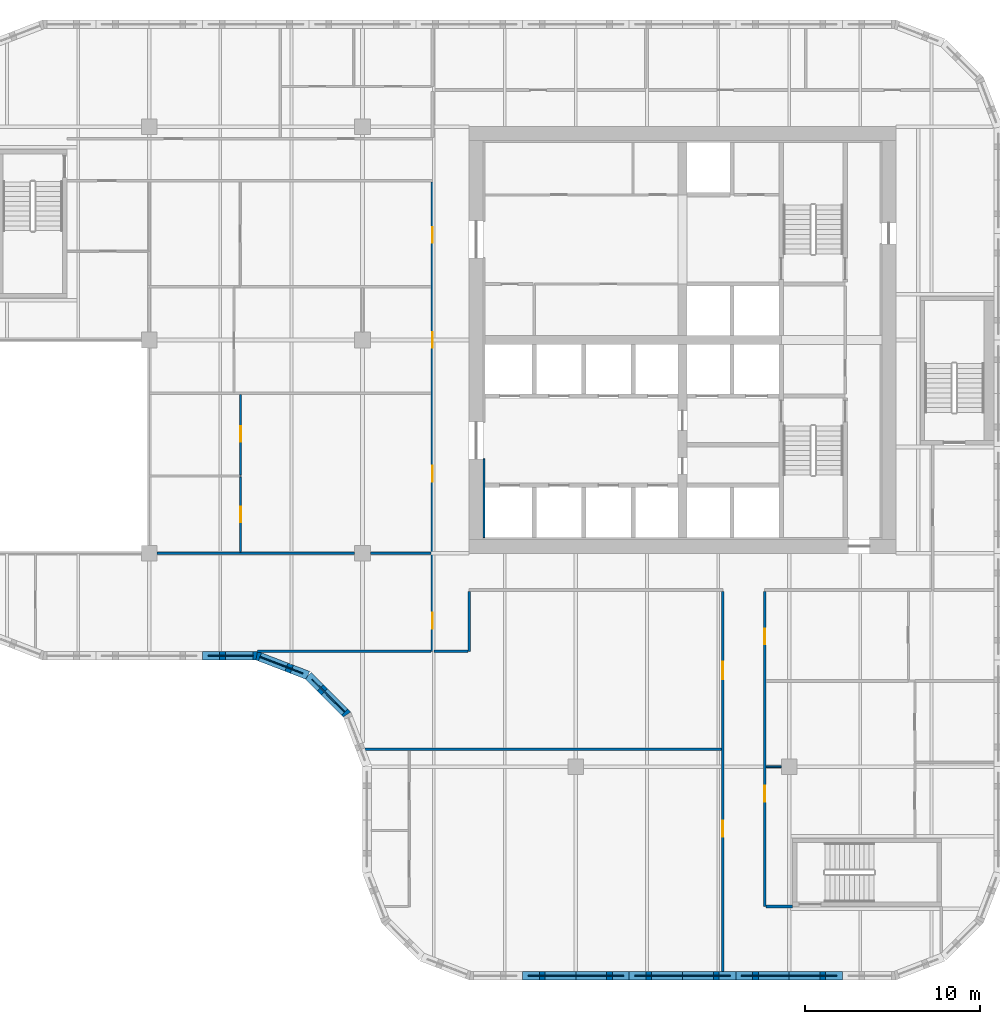
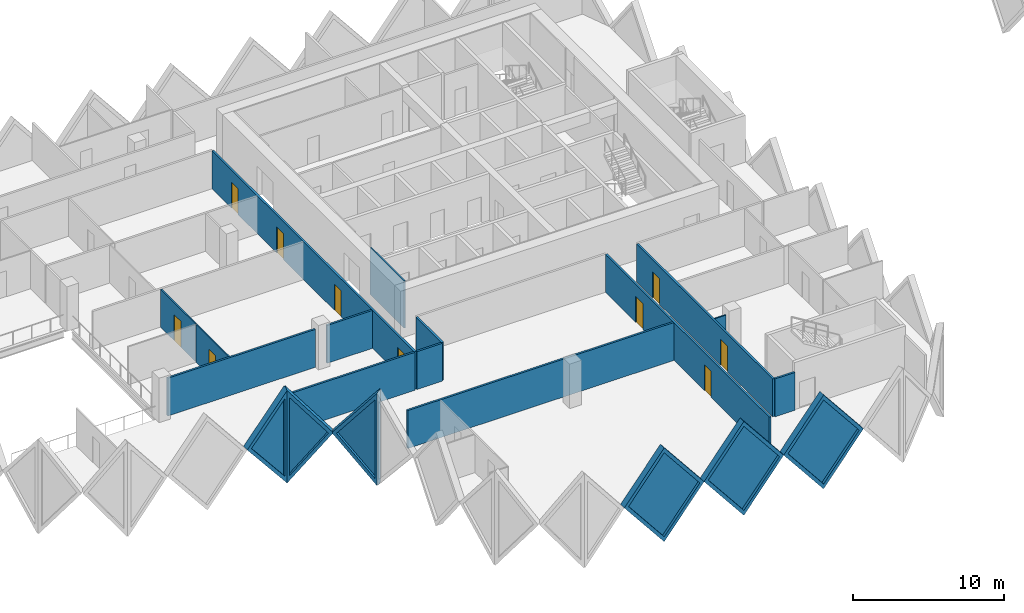
# One storey, part 5 of 19: 20 walls, 10 doors, 6 plates, 16 openings.
"""IFC4 building model written with IfcOpenShell, lengths in metres."""

import ifcopenshell
import ifcopenshell.guid

model = None  # the IFC model being written
_history = None  # IfcOwnerHistory: only IFC2X3 demands one
_inside = {}  # id of a spatial element -> (the spatial element, [elements in it])
_under = {}  # id of a project, library or spatial element -> (it, [spatial elements below it])
_declared = {}  # id of a project -> (the project, [libraries it declares])
_typed = {}  # id of a type object -> (the type object, [elements of that type])
_made_of = {}  # id of a material, layer set ... -> (it, [elements and type objects made of it])


def new_model(schema):
    """Start an empty IFC model of exactly this schema.

    Asked for "IFC4X3", IfcOpenShell would pick the latest addendum, in which some entities
    have other attributes; the version numbers below select the first issue.
    IFC2X3 requires an IfcOwnerHistory on every rooted entity: one is made here for all.
    """
    global model, _history
    if schema == "IFC4X3":
        model = ifcopenshell.file(schema_version=(4, 3, 0, 0))
    else:
        model = ifcopenshell.file(schema=schema)
    _inside.clear()
    _under.clear()
    _declared.clear()
    _typed.clear()
    _made_of.clear()
    _history = None
    if model.schema == "IFC2X3":
        org = make("IfcOrganization", Name="unknown")
        user = make(
            "IfcPersonAndOrganization",
            ThePerson=make("IfcPerson", FamilyName="unknown"),
            TheOrganization=org,
        )
        app = make(
            "IfcApplication",
            ApplicationDeveloper=org,
            Version="unknown",
            ApplicationFullName="unknown",
            ApplicationIdentifier="unknown",
        )
        _history = make(
            "IfcOwnerHistory",
            OwningUser=user,
            OwningApplication=app,
            ChangeAction="ADDED",
            CreationDate=0,
        )
    return model


def make(cls, **values):
    """One entity of the class cls with the attributes given. An attribute that is None is left unset."""
    return model.create_entity(
        cls, **{name: value for name, value in values.items() if value is not None}
    )


def rooted(cls, **values):
    """An entity with a GlobalId (a new one), such as an element, a storey or a relation."""
    return make(cls, GlobalId=ifcopenshell.guid.new(), OwnerHistory=_history, **values)


def si_unit(unit_type, name, prefix=None):
    """IfcSIUnit, for example si_unit("LENGTHUNIT", "METRE", prefix="MILLI")."""
    return make("IfcSIUnit", UnitType=unit_type, Prefix=prefix, Name=name)


def assignment(units):
    """IfcUnitAssignment: the units of a project."""
    return None if units is None else make("IfcUnitAssignment", Units=units)


def point(xyz):
    """IfcCartesianPoint."""
    return None if xyz is None else make("IfcCartesianPoint", Coordinates=xyz)


def direction(xyz):
    """IfcDirection."""
    return None if xyz is None else make("IfcDirection", DirectionRatios=xyz)


def frame(location, z_axis=None, x_axis=None):
    """IfcAxis2Placement3D, a coordinate frame: its origin and axes. An axis left out is left unset."""
    return make(
        "IfcAxis2Placement3D",
        Location=point(location),
        Axis=direction(z_axis),
        RefDirection=direction(x_axis),
    )


def frame_2d(location, x_axis=None):
    """IfcAxis2Placement2D, a coordinate frame in the plane: its origin and x axis."""
    return make(
        "IfcAxis2Placement2D", Location=point(location), RefDirection=direction(x_axis)
    )


def origin():
    """The frame at (0, 0, 0) with its axes left unset."""
    return frame((0.0, 0.0, 0.0))


def place(relative_to, where):
    """IfcLocalPlacement: puts the frame where relative to a parent placement (None: the world)."""
    return make(
        "IfcLocalPlacement", PlacementRelTo=relative_to, RelativePlacement=where
    )


def context(
    kind, dimensions, precision=None, world=None, true_north=None, identifier=None
):
    """IfcGeometricRepresentationContext, for example the 3D "Model" context."""
    return make(
        "IfcGeometricRepresentationContext",
        ContextIdentifier=identifier,
        ContextType=kind,
        CoordinateSpaceDimension=dimensions,
        Precision=precision,
        WorldCoordinateSystem=world,
        TrueNorth=true_north,
    )


def subcontext(parent, identifier, kind, view, scale=None):
    """IfcGeometricRepresentationSubContext, for example "Body" below "Model"."""
    return make(
        "IfcGeometricRepresentationSubContext",
        ContextIdentifier=identifier,
        ContextType=kind,
        ParentContext=parent,
        TargetScale=scale,
        TargetView=view,
    )


def project(units=None, contexts=None):
    """IfcProject with its units and contexts."""
    return rooted(
        "IfcProject",
        Name="project",
        RepresentationContexts=contexts,
        UnitsInContext=assignment(units),
    )


def spatial(cls, under=None, at=None, **own):
    """A site, building, storey or space (cls), placed at a placement, below another one or the project."""
    s = rooted(cls, ObjectPlacement=at, **own)
    if under is not None:
        _under.setdefault(under.id(), (under, []))[1].append(s)
    return s


def polyline(points):
    """IfcPolyline through the points."""
    return make("IfcPolyline", Points=[point(p) for p in points])


def profile(cls, at=None, kind="AREA", **sizes):
    """A parametric profile (cls). Its sizes go by their IFC names, for example OverallWidth=200.0."""
    return make(cls, ProfileType=kind, Position=at, **sizes)


def rectangle(**sizes):
    """IfcRectangleProfileDef."""
    return profile("IfcRectangleProfileDef", **sizes)


def outline(outer, holes=None, kind="AREA"):
    """IfcArbitraryClosedProfileDef: a profile drawn as a closed curve; with holes, ...WithVoids."""
    if holes is None:
        return make("IfcArbitraryClosedProfileDef", ProfileType=kind, OuterCurve=outer)
    return make(
        "IfcArbitraryProfileDefWithVoids",
        ProfileType=kind,
        OuterCurve=outer,
        InnerCurves=holes,
    )


def extrude(swept, where, along, depth):
    """IfcExtrudedAreaSolid: the profile swept, set in the frame where, extruded along a direction by depth."""
    return make(
        "IfcExtrudedAreaSolid",
        SweptArea=swept,
        Position=where,
        ExtrudedDirection=direction(along),
        Depth=depth,
    )


def faces_of(points, faces, orient=None, outer=None):
    """IfcFace entities. A face is a list of loops; a loop is a list of indices into points, from 0.

    orient and outer hold one flag for each loop. By default every Orientation is true, the
    first loop of a face is its IfcFaceOuterBound and the others are IfcFaceBound.
    """
    made = []
    for i, loops in enumerate(faces):
        bounds = []
        for j, loop in enumerate(loops):
            is_outer = j == 0 if outer is None else outer[i][j]
            bounds.append(
                make(
                    "IfcFaceOuterBound" if is_outer else "IfcFaceBound",
                    Bound=make("IfcPolyLoop", Polygon=[points[k] for k in loop]),
                    Orientation=True if orient is None else orient[i][j],
                )
            )
        made.append(make("IfcFace", Bounds=bounds))
    return made


def faceted_brep(points, faces, orient=None, outer=None, voids=None):
    """IfcFacetedBrep: a solid bounded by flat faces; with voids (closed shells), ...WithVoids."""
    shared = [point(p) for p in points]
    hull = make("IfcClosedShell", CfsFaces=faces_of(shared, faces, orient, outer))
    if voids is None:
        return make("IfcFacetedBrep", Outer=hull)
    return make(
        "IfcFacetedBrepWithVoids",
        Outer=hull,
        Voids=[
            make(cls, CfsFaces=faces_of(shared, fs, o, b)) for cls, fs, o, b in voids
        ],
    )


def shape(context_of_items, identifier, shape_type, items):
    """IfcShapeRepresentation: the items that make up one representation, for example the "Body"."""
    return make(
        "IfcShapeRepresentation",
        ContextOfItems=context_of_items,
        RepresentationIdentifier=identifier,
        RepresentationType=shape_type,
        Items=items,
    )


def source(mapping_origin, context_of_items, identifier, shape_type, items):
    """IfcRepresentationMap: a shape defined once, which mapped items show again and again."""
    return make(
        "IfcRepresentationMap",
        MappingOrigin=mapping_origin,
        MappedRepresentation=shape(context_of_items, identifier, shape_type, items),
    )


def transform(
    local_origin,
    x_axis=None,
    y_axis=None,
    z_axis=None,
    scale=None,
    scale2=None,
    scale3=None,
    uniform=True,
):
    """IfcCartesianTransformationOperator3D, or its non-uniform kind. x_axis, y_axis, z_axis: its Axis1, 2, 3."""
    if uniform:
        return make(
            "IfcCartesianTransformationOperator3D",
            Axis1=direction(x_axis),
            Axis2=direction(y_axis),
            LocalOrigin=point(local_origin),
            Scale=scale,
            Axis3=direction(z_axis),
        )
    return make(
        "IfcCartesianTransformationOperator3DnonUniform",
        Axis1=direction(x_axis),
        Axis2=direction(y_axis),
        LocalOrigin=point(local_origin),
        Scale=scale,
        Axis3=direction(z_axis),
        Scale2=scale2,
        Scale3=scale3,
    )


def mapped(mapping_source, mapping_target):
    """IfcMappedItem: shows the shape of a source again, moved by a transform."""
    return make(
        "IfcMappedItem", MappingSource=mapping_source, MappingTarget=mapping_target
    )


def material(Name=None, Category=None):
    """IfcMaterial."""
    return make("IfcMaterial", Name=Name, Category=Category)


def layer(
    of_material, thickness, ventilated=None, Name=None, Category=None, Priority=None
):
    """IfcMaterialLayer: one layer of a wall or slab, of a material (None: an air gap)."""
    return make(
        "IfcMaterialLayer",
        Material=of_material,
        LayerThickness=thickness,
        IsVentilated=ventilated,
        Name=Name,
        Category=Category,
        Priority=Priority,
    )


def layer_set(layers, Name=None):
    """IfcMaterialLayerSet."""
    return make("IfcMaterialLayerSet", MaterialLayers=layers, LayerSetName=Name)


def made_of(thing, what):
    """Note that an element or type object is made of a material, layer set ...; save() writes the relation."""
    if what is not None:
        _made_of.setdefault(what.id(), (what, []))[1].append(thing)
    return thing


def type_object(cls, material=None, **own):
    """A type object (cls), such as IfcWallType, which elements share."""
    return made_of(rooted(cls, **own), material)


def element(
    cls,
    number,
    at=None,
    inside=None,
    cuts=None,
    type_object=None,
    material=None,
    context=None,
    identifier="Body",
    shape_type=None,
    held_by="IfcProductDefinitionShape",
    body=None,
    shapes=None,
    **own,
):
    """One element of the class cls, such as IfcWall. Its Tag is "e" and its number.

    at: its placement. inside: the storey or other place that contains it. cuts: it is an
    opening in that element (IfcRelVoidsElement). A single representation is given by context,
    identifier, shape_type and body (its items); several are given by shapes. held_by: the class
    of the entity that holds the representations. save() writes the other relations.
    """
    e = rooted(cls, Tag="e%d" % number, ObjectPlacement=at, **own)
    if body is not None:
        shapes = [shape(context, identifier, shape_type, body)]
    if shapes is not None:
        e.Representation = make(held_by, Representations=shapes)
    if inside is not None:
        _inside.setdefault(inside.id(), (inside, []))[1].append(e)
    if cuts is not None:
        rooted(
            "IfcRelVoidsElement", RelatingBuildingElement=cuts, RelatedOpeningElement=e
        )
    if type_object is not None:
        _typed.setdefault(type_object.id(), (type_object, []))[1].append(e)
    return made_of(e, material)


def fill(opening, filler):
    """IfcRelFillsElement: the door or window that sits in an opening."""
    return rooted(
        "IfcRelFillsElement",
        RelatingOpeningElement=opening,
        RelatedBuildingElement=filler,
    )


def aggregate(whole, parts):
    """IfcRelAggregates: a whole, such as a stair, and the parts it consists of."""
    return rooted("IfcRelAggregates", RelatingObject=whole, RelatedObjects=parts)


def save(model, path):
    """Write the relations noted so far, then the file.

    IfcRelAggregates (storeys below a building ...), IfcRelContainedInSpatialStructure (elements
    in a storey), IfcRelDefinesByType, IfcRelAssociatesMaterial and IfcRelDeclares: one each for
    every whole, place, type object, material and project.
    """
    for whole, parts in _under.values():
        aggregate(whole, parts)
    for where, things in _inside.values():
        rooted(
            "IfcRelContainedInSpatialStructure",
            RelatedElements=things,
            RelatingStructure=where,
        )
    for kind, things in _typed.values():
        rooted("IfcRelDefinesByType", RelatedObjects=things, RelatingType=kind)
    for what, things in _made_of.values():
        rooted("IfcRelAssociatesMaterial", RelatedObjects=things, RelatingMaterial=what)
    for by, libraries in _declared.values():
        rooted("IfcRelDeclares", RelatingContext=by, RelatedDefinitions=libraries)
    model.write(path)


model = new_model("IFC4")

# Units and contexts
model_context = context("Model", 3, precision=1e-05, world=origin(), true_north=direction((0.0, 1.0)))
body_context = subcontext(model_context, "Body", "Model", "MODEL_VIEW")
ifc_project = project(units=[si_unit("LENGTHUNIT", "METRE"), si_unit("AREAUNIT", "SQUARE_METRE"), si_unit("VOLUMEUNIT", "CUBIC_METRE"), si_unit("PLANEANGLEUNIT", "RADIAN"), si_unit("MASSUNIT", "GRAM", prefix="KILO")], contexts=[model_context])

# Site, building, storey
site_placement = place(None, origin())
site = spatial("IfcSite", under=ifc_project, at=site_placement, CompositionType="ELEMENT")
building_placement = place(site_placement, origin())
building = spatial("IfcBuilding", under=site, at=building_placement, Name="Tessera Gate Towers", CompositionType="ELEMENT")
storey_placement = place(building_placement, frame((0.0, 0.0, 76.199951171875)))
storey = spatial("IfcBuildingStorey", under=building, at=storey_placement, Name="L18", CompositionType="ELEMENT", Elevation=76.199951171875)

# Wall
ifc_material_1 = material(Name="Concrete C60/75", Category="concrete")
ifc_layer_1 = layer(ifc_material_1, 0.10009765625)
ifc_layer_set_1 = layer_set([ifc_layer_1], Name="CORE WALL THICKENING 100")
wall_type_1 = type_object("IfcWallType", Name="CORE WALL THICKENING 100", PredefinedType="SOLIDWALL", material=ifc_layer_set_1)
wall_1_placement = place(storey_placement, frame((31.35009765625, 25.300048828125, 0.0), z_axis=(0.0, 0.0, 1.0), x_axis=(0.0, 1.0, 0.0)))
element("IfcWall", 1, at=wall_1_placement, inside=storey, type_object=wall_type_1, Name="Core wall thickening W L18", PredefinedType="SOLIDWALL", context=body_context, shape_type="SweptSolid", body=[
    extrude(rectangle(XDim=4.5, YDim=0.10009765625, at=frame_2d((2.25, 0.0))), origin(), (0.0, 0.0, 1.0), 3.800048828125),
])

# Wall, openings, doors
ifc_material_2 = material(Name="Gypsum board on steel studs, mineral wool", Category="steel")
ifc_layer_2 = layer(ifc_material_2, 0.14990234375)
ifc_layer_set_2 = layer_set([ifc_layer_2], Name="CORRIDOR WALL 150")
wall_type_2 = type_object("IfcWallType", Name="CORRIDOR WALL 150", PredefinedType="PARTITIONING", material=ifc_layer_set_2)
wall_2_placement = place(storey_placement, frame((45.0, 0.5, 0.0), z_axis=(0.0, 0.0, 1.0), x_axis=(0.0, 1.0, 0.0)))
wall_2 = element("IfcWall", 2, at=wall_2_placement, inside=storey, type_object=wall_type_2, Name="T1-L18-PW-001", PredefinedType="PARTITIONING", context=body_context, shape_type="SweptSolid", body=[
    extrude(rectangle(XDim=21.72412109375, YDim=0.14990234375, at=frame_2d((10.862060546875, 0.0))), origin(), (0.0, 0.0, 1.0), 3.067138671875),
])
shared_shape_1 = source(origin(), body_context, "Body", "SweptSolid", [
    extrude(rectangle(XDim=0.89990234375, YDim=2.10009765625, at=frame_2d((0.449951171875, 1.050048828125))), frame((0.0, 0.0849609375, 0.0), z_axis=(0.0, -1.0, 0.0), x_axis=(1.0, 0.0, 0.0)), (0.0, 0.0, 1.0), 0.169921875),
])
opening_1_placement = place(wall_2_placement, frame((7.699951171875, 0.0, 0.0)))
opening_1 = element("IfcOpeningElement", 3, at=opening_1_placement, cuts=wall_2, Name="Opening D890FD60-A06-07", PredefinedType="OPENING", context=body_context, shape_type="MappedRepresentation", body=[
    mapped(shared_shape_1, transform((0.0, 0.0, 0.0), scale=1.0)),
])
shared_shape_2 = source(origin(), body_context, "Body", "SweptSolid", [
    extrude(rectangle(XDim=1.0, YDim=2.10009765625, at=frame_2d((0.5, 1.050048828125))), frame((0.0, 0.0849609375, 0.0), z_axis=(0.0, -1.0, 0.0), x_axis=(1.0, 0.0, 0.0)), (0.0, 0.0, 1.0), 0.169921875),
])
opening_2_placement = place(wall_2_placement, frame((16.699951171875, 0.0, 0.0)))
opening_2 = element("IfcOpeningElement", 4, at=opening_2_placement, cuts=wall_2, Name="Opening D2100FD60-A06-02", PredefinedType="OPENING", context=body_context, shape_type="MappedRepresentation", body=[
    mapped(shared_shape_2, transform((0.0, 0.0, 0.0), scale=1.0)),
])
ifc_material_3 = material(Name="Timber door leaf in steel frame", Category="steel")
door_type_1 = type_object("IfcDoorType", Name="CORRIDOR DOOR 900 FD60", OperationType="NOTDEFINED", PredefinedType="DOOR", material=ifc_material_3)
shared_shape_3 = source(origin(), body_context, "Body", "SweptSolid", [
    extrude(rectangle(XDim=0.89990234375, YDim=2.10009765625, at=frame_2d((0.449951171875, 1.050048828125))), frame((0.0, 0.02490234375, 0.0), z_axis=(0.0, -1.0, 0.0), x_axis=(1.0, 0.0, 0.0)), (0.0, 0.0, 1.0), 0.050048828125),
])
door_1_placement = place(opening_1_placement, origin())
door_1 = element("IfcDoor", 5, at=door_1_placement, inside=storey, type_object=door_type_1, Name="T1-L18-PD-021", OperationType="SINGLE_SWING_LEFT", OverallHeight=2.10009765625, OverallWidth=0.89990234375, PredefinedType="DOOR", context=body_context, shape_type="MappedRepresentation", body=[
    mapped(shared_shape_3, transform((0.0, 0.0, 0.0), scale=1.0)),
])
fill(opening_1, door_1)
ifc_material_4 = material(Name="Timber door leaf in steel frame", Category="steel")
door_type_2 = type_object("IfcDoorType", Name="TENANCY ENTRANCE DOOR 1000 FD60", OperationType="NOTDEFINED", PredefinedType="DOOR", material=ifc_material_4)
shared_shape_4 = source(origin(), body_context, "Body", "SweptSolid", [
    extrude(rectangle(XDim=1.0, YDim=2.10009765625, at=frame_2d((0.5, 1.050048828125))), frame((0.0, 0.02490234375, 0.0), z_axis=(0.0, -1.0, 0.0), x_axis=(1.0, 0.0, 0.0)), (0.0, 0.0, 1.0), 0.050048828125),
])
door_2_placement = place(opening_2_placement, origin())
door_2 = element("IfcDoor", 6, at=door_2_placement, inside=storey, type_object=door_type_2, Name="T1-L18-PD-022", OperationType="SINGLE_SWING_LEFT", OverallHeight=2.10009765625, OverallWidth=1.0, PredefinedType="DOOR", context=body_context, shape_type="MappedRepresentation", body=[
    mapped(shared_shape_4, transform((0.0, 0.0, 0.0), scale=1.0)),
])
fill(opening_2, door_2)

wall_3_placement = place(storey_placement, frame((47.39990234375, 22.22412109375, 0.0), z_axis=(0.0, 0.0, 1.0), x_axis=(0.0, -1.0, 0.0)))
wall_3 = element("IfcWall", 7, at=wall_3_placement, inside=storey, type_object=wall_type_2, Name="T1-L18-PW-005", PredefinedType="PARTITIONING", context=body_context, shape_type="SweptSolid", body=[
    extrude(rectangle(XDim=18.024169921875, YDim=0.14990234375, at=frame_2d((9.01220703125, 0.0))), origin(), (0.0, 0.0, 1.0), 3.067138671875),
])
opening_3_placement = place(wall_3_placement, frame((2.123046875, 0.0, 0.0)))
opening_3 = element("IfcOpeningElement", 8, at=opening_3_placement, cuts=wall_3, Name="Opening D890FD60-A06-02", PredefinedType="OPENING", context=body_context, shape_type="MappedRepresentation", body=[
    mapped(shared_shape_1, transform((0.0, 0.0, 0.0), scale=1.0)),
])
opening_4_placement = place(wall_3_placement, frame((11.1240234375, 0.0, 0.0)))
opening_4 = element("IfcOpeningElement", 9, at=opening_4_placement, cuts=wall_3, Name="Opening D890FD60-A06-12", PredefinedType="OPENING", context=body_context, shape_type="MappedRepresentation", body=[
    mapped(shared_shape_1, transform((0.0, 0.0, 0.0), scale=1.0)),
])
door_3_placement = place(opening_3_placement, origin())
door_3 = element("IfcDoor", 10, at=door_3_placement, inside=storey, type_object=door_type_1, Name="T1-L18-PD-012", OperationType="SINGLE_SWING_RIGHT", OverallHeight=2.10009765625, OverallWidth=0.89990234375, PredefinedType="DOOR", context=body_context, shape_type="MappedRepresentation", body=[
    mapped(shared_shape_3, transform((0.0, 0.0, 0.0), scale=1.0)),
])
fill(opening_3, door_3)
door_4_placement = place(opening_4_placement, origin())
door_4 = element("IfcDoor", 11, at=door_4_placement, inside=storey, type_object=door_type_1, Name="T1-L18-PD-028", OperationType="SINGLE_SWING_RIGHT", OverallHeight=2.10009765625, OverallWidth=0.89990234375, PredefinedType="DOOR", context=body_context, shape_type="MappedRepresentation", body=[
    mapped(shared_shape_3, transform((0.0, 0.0, 0.0), scale=1.0)),
])
fill(opening_4, door_4)

# Wall
wall_4_placement = place(storey_placement, frame((47.47607421875, 4.199951171875, 0.0), z_axis=(0.0, 0.0, 1.0), x_axis=(1.0, 0.0, 0.0)))
element("IfcWall", 12, at=wall_4_placement, inside=storey, type_object=wall_type_2, Name="T1-L18-PW-006", PredefinedType="PARTITIONING", context=body_context, shape_type="SweptSolid", body=[
    extrude(rectangle(XDim=1.52392578125, YDim=0.14990234375, at=frame_2d((0.761962890625, 0.0))), origin(), (0.0, 0.0, 1.0), 3.067138671875),
])

# Wall, openings, doors
wall_5_placement = place(storey_placement, frame((28.39990234375, 18.800048828125, 0.0), z_axis=(0.0, 0.0, 1.0), x_axis=(0.0, 1.0, 0.0)))
wall_5 = element("IfcWall", 13, at=wall_5_placement, inside=storey, type_object=wall_type_2, Name="T1-L18-PW-018", PredefinedType="PARTITIONING", context=body_context, shape_type="SweptSolid", body=[
    extrude(rectangle(XDim=26.823974609375, YDim=0.14990234375, at=frame_2d((13.412109375, 0.0))), origin(), (0.0, 0.0, 1.0), 3.067138671875),
])
opening_5_placement = place(wall_5_placement, frame((1.300048828125, 0.0, 0.0)))
opening_5 = element("IfcOpeningElement", 14, at=opening_5_placement, cuts=wall_5, Name="Opening D890FD60-A06-01", PredefinedType="OPENING", context=body_context, shape_type="MappedRepresentation", body=[
    mapped(shared_shape_1, transform((0.0, 0.0, 0.0), scale=1.0)),
])
opening_6_placement = place(wall_5_placement, frame((23.35107421875, 0.0, 0.0)))
opening_6 = element("IfcOpeningElement", 15, at=opening_6_placement, cuts=wall_5, Name="Opening D890FD60-A06-03", PredefinedType="OPENING", context=body_context, shape_type="MappedRepresentation", body=[
    mapped(shared_shape_1, transform((0.0, 0.0, 0.0), scale=1.0)),
])
opening_7_placement = place(wall_5_placement, frame((17.35107421875, 0.0, 0.0)))
opening_7 = element("IfcOpeningElement", 16, at=opening_7_placement, cuts=wall_5, Name="Opening D890FD60-A06-04", PredefinedType="OPENING", context=body_context, shape_type="MappedRepresentation", body=[
    mapped(shared_shape_1, transform((0.0, 0.0, 0.0), scale=1.0)),
])
opening_8_placement = place(wall_5_placement, frame((9.699951171875, 0.0, 0.0)))
opening_8 = element("IfcOpeningElement", 17, at=opening_8_placement, cuts=wall_5, Name="Opening D890FD60-A06-09", PredefinedType="OPENING", context=body_context, shape_type="MappedRepresentation", body=[
    mapped(shared_shape_1, transform((0.0, 0.0, 0.0), scale=1.0)),
])
door_5_placement = place(opening_5_placement, origin())
door_5 = element("IfcDoor", 18, at=door_5_placement, inside=storey, type_object=door_type_1, Name="T1-L18-PD-001", OperationType="SINGLE_SWING_LEFT", OverallHeight=2.10009765625, OverallWidth=0.89990234375, PredefinedType="DOOR", context=body_context, shape_type="MappedRepresentation", body=[
    mapped(shared_shape_3, transform((0.0, 0.0, 0.0), scale=1.0)),
])
fill(opening_5, door_5)
door_6_placement = place(opening_6_placement, origin())
door_6 = element("IfcDoor", 19, at=door_6_placement, inside=storey, type_object=door_type_1, Name="T1-L18-PD-017", OperationType="SINGLE_SWING_LEFT", OverallHeight=2.10009765625, OverallWidth=0.89990234375, PredefinedType="DOOR", context=body_context, shape_type="MappedRepresentation", body=[
    mapped(shared_shape_3, transform((0.0, 0.0, 0.0), scale=1.0)),
])
fill(opening_6, door_6)
door_7_placement = place(opening_7_placement, origin())
door_7 = element("IfcDoor", 20, at=door_7_placement, inside=storey, type_object=door_type_1, Name="T1-L18-PD-018", OperationType="SINGLE_SWING_LEFT", OverallHeight=2.10009765625, OverallWidth=0.89990234375, PredefinedType="DOOR", context=body_context, shape_type="MappedRepresentation", body=[
    mapped(shared_shape_3, transform((0.0, 0.0, 0.0), scale=1.0)),
])
fill(opening_7, door_7)
door_8_placement = place(opening_8_placement, origin())
door_8 = element("IfcDoor", 21, at=door_8_placement, inside=storey, type_object=door_type_1, Name="T1-L18-PD-024", OperationType="SINGLE_SWING_LEFT", OverallHeight=2.10009765625, OverallWidth=0.89990234375, PredefinedType="DOOR", context=body_context, shape_type="MappedRepresentation", body=[
    mapped(shared_shape_3, transform((0.0, 0.0, 0.0), scale=1.0)),
])
fill(opening_8, door_8)

# Walls
wall_6_placement = place(storey_placement, frame((28.47607421875, 18.800048828125, 0.0), z_axis=(0.0, 0.0, 1.0), x_axis=(1.0, 0.0, 0.0)))
element("IfcWall", 22, at=wall_6_placement, inside=storey, type_object=wall_type_2, Name="T1-L18-PW-019", PredefinedType="PARTITIONING", context=body_context, shape_type="SweptSolid", body=[
    extrude(rectangle(XDim=1.947998046875, YDim=0.14990234375, at=frame_2d((0.97412109375, 0.0))), origin(), (0.0, 0.0, 1.0), 3.067138671875),
])
wall_7_placement = place(storey_placement, frame((30.5, 18.800048828125, 0.0), z_axis=(0.0, 0.0, 1.0), x_axis=(0.0, 1.0, 0.0)))
element("IfcWall", 23, at=wall_7_placement, inside=storey, type_object=wall_type_2, Name="T1-L18-PW-020", PredefinedType="PARTITIONING", context=body_context, shape_type="SweptSolid", body=[
    extrude(rectangle(XDim=3.424072265625, YDim=0.14990234375, at=frame_2d((1.7119140625, 0.0))), origin(), (0.0, 0.0, 1.0), 3.067138671875),
])
ifc_material_5 = material(Name="Gypsum board on steel studs", Category="steel")
ifc_layer_3 = layer(ifc_material_5, 0.10009765625)
ifc_layer_set_3 = layer_set([ifc_layer_3], Name="PARTITION 100")
wall_type_3 = type_object("IfcWallType", Name="PARTITION 100", PredefinedType="PARTITIONING", material=ifc_layer_set_3)
wall_8_placement = place(storey_placement, frame((48.35009765625, 12.199951171875, 0.0), z_axis=(0.0, 0.0, 1.0), x_axis=(-1.0, 0.0, 0.0)))
element("IfcWall", 24, at=wall_8_placement, inside=storey, type_object=wall_type_3, Name="T1-L18-PW-009", PredefinedType="PARTITIONING", context=body_context, shape_type="SweptSolid", body=[
    extrude(rectangle(XDim=0.875, YDim=0.10009765625, at=frame_2d((0.4375, 0.0))), origin(), (0.0, 0.0, 1.0), 3.067138671875),
])

# Wall, opening, door
wall_9_placement = place(storey_placement, frame((17.425048828125, 24.47607421875, 0.0), z_axis=(0.0, 0.0, 1.0), x_axis=(0.0, 1.0, 0.0)))
wall_9 = element("IfcWall", 25, at=wall_9_placement, inside=storey, type_object=wall_type_3, Name="T1-L18-PW-028", PredefinedType="PARTITIONING", context=body_context, shape_type="SweptSolid", body=[
    extrude(rectangle(XDim=4.293212890625, YDim=0.10009765625, at=frame_2d((2.146484375, 0.0))), origin(), (0.0, 0.0, 1.0), 3.067138671875),
])
shared_shape_5 = source(origin(), body_context, "Body", "SweptSolid", [
    extrude(rectangle(XDim=0.89990234375, YDim=2.10009765625, at=frame_2d((0.449951171875, 1.050048828125))), frame((0.0, 0.06005859375, 0.0), z_axis=(0.0, -1.0, 0.0), x_axis=(1.0, 0.0, 0.0)), (0.0, 0.0, 1.0), 0.1201171875),
])
opening_9_placement = place(wall_9_placement, frame((1.699951171875, 0.0, 0.0)))
opening_9 = element("IfcOpeningElement", 26, at=opening_9_placement, cuts=wall_9, Name="Opening D190-A06-02", PredefinedType="OPENING", context=body_context, shape_type="MappedRepresentation", body=[
    mapped(shared_shape_5, transform((0.0, 0.0, 0.0), scale=1.0)),
])
ifc_material_6 = material(Name="Timber door leaf in steel frame", Category="steel")
door_type_3 = type_object("IfcDoorType", Name="INTERNAL DOOR 900 NOT RATED", OperationType="NOTDEFINED", PredefinedType="DOOR", material=ifc_material_6)
door_9_placement = place(opening_9_placement, origin())
door_9 = element("IfcDoor", 27, at=door_9_placement, inside=storey, type_object=door_type_3, Name="T1-L18-PD-003", OperationType="SINGLE_SWING_LEFT", OverallHeight=2.10009765625, OverallWidth=0.89990234375, PredefinedType="DOOR", context=body_context, shape_type="MappedRepresentation", body=[
    mapped(shared_shape_3, transform((0.0, 0.0, 0.0), scale=1.0)),
])
fill(opening_9, door_9)

wall_10_placement = place(storey_placement, frame((17.425048828125, 28.871337890625, 0.0), z_axis=(0.0, 0.0, 1.0), x_axis=(0.0, 1.0, 0.0)))
wall_10 = element("IfcWall", 28, at=wall_10_placement, inside=storey, type_object=wall_type_3, Name="T1-L18-PW-030", PredefinedType="PARTITIONING", context=body_context, shape_type="SweptSolid", body=[
    extrude(rectangle(XDim=4.602783203125, YDim=0.10009765625, at=frame_2d((2.30126953125, 0.0))), origin(), (0.0, 0.0, 1.0), 3.067138671875),
])
opening_10_placement = place(wall_10_placement, frame((1.89990234375, 0.0, 0.0)))
opening_10 = element("IfcOpeningElement", 29, at=opening_10_placement, cuts=wall_10, Name="Opening D190-A06-05", PredefinedType="OPENING", context=body_context, shape_type="MappedRepresentation", body=[
    mapped(shared_shape_5, transform((0.0, 0.0, 0.0), scale=1.0)),
])
door_10_placement = place(opening_10_placement, origin())
door_10 = element("IfcDoor", 30, at=door_10_placement, inside=storey, type_object=door_type_3, Name="T1-L18-PD-008", OperationType="SINGLE_SWING_LEFT", OverallHeight=2.10009765625, OverallWidth=0.89990234375, PredefinedType="DOOR", context=body_context, shape_type="MappedRepresentation", body=[
    mapped(shared_shape_3, transform((0.0, 0.0, 0.0), scale=1.0)),
])
fill(opening_10, door_10)

# Walls
ifc_material_7 = material(Name="Gypsum board on steel studs, mineral wool", Category="steel")
ifc_layer_4 = layer(ifc_material_7, 0.14990234375)
ifc_layer_set_4 = layer_set([ifc_layer_4], Name="TENANCY WALL 150")
wall_type_4 = type_object("IfcWallType", Name="TENANCY WALL 150", PredefinedType="PARTITIONING", material=ifc_layer_set_4)
wall_11_placement = place(storey_placement, frame((24.55029296875, 13.199951171875, 0.0), z_axis=(0.0, 0.0, 1.0), x_axis=(1.0, 0.0, 0.0)))
element("IfcWall", 31, at=wall_11_placement, inside=storey, type_object=wall_type_4, Name="T1-L18-PW-012", PredefinedType="PARTITIONING", context=body_context, shape_type="SweptSolid", body=[
    extrude(rectangle(XDim=20.373779296875, YDim=0.14990234375, at=frame_2d((10.18701171875, 0.0))), origin(), (0.0, 0.0, 1.0), 3.067138671875),
])
wall_12_placement = place(storey_placement, frame((18.39306640625, 18.800048828125, 0.0), z_axis=(0.0, 0.0, 1.0), x_axis=(1.0, 0.0, 0.0)))
element("IfcWall", 32, at=wall_12_placement, inside=storey, type_object=wall_type_4, Name="T1-L18-PW-017", PredefinedType="PARTITIONING", context=body_context, shape_type="SweptSolid", body=[
    extrude(rectangle(XDim=9.930908203125, YDim=0.14990234375, at=frame_2d((4.96533203125, 0.0))), origin(), (0.0, 0.0, 1.0), 3.067138671875),
])
wall_13_placement = place(storey_placement, frame((12.65087890625, 24.39990234375, 0.0), z_axis=(0.0, 0.0, 1.0), x_axis=(1.0, 0.0, 0.0)))
element("IfcWall", 33, at=wall_13_placement, inside=storey, type_object=wall_type_4, Name="T1-L18-PW-026", PredefinedType="PARTITIONING", context=body_context, shape_type="SweptSolid", body=[
    extrude(rectangle(XDim=11.298095703125, YDim=0.14990234375, at=frame_2d((5.64892578125, 0.0))), origin(), (0.0, 0.0, 1.0), 3.067138671875),
])
wall_14_placement = place(storey_placement, frame((24.85107421875, 24.39990234375, 0.0), z_axis=(0.0, 0.0, 1.0), x_axis=(1.0, 0.0, 0.0)))
element("IfcWall", 34, at=wall_14_placement, inside=storey, type_object=wall_type_4, Name="T1-L18-PW-027", PredefinedType="PARTITIONING", context=body_context, shape_type="SweptSolid", body=[
    extrude(rectangle(XDim=3.472900390625, YDim=0.14990234375, at=frame_2d((1.736328125, 0.0))), origin(), (0.0, 0.0, 1.0), 3.067138671875),
])

# Wall, opening, plate
ifc_material_8 = material(Name="Precast concrete C60/75 white", Category="concrete")
ifc_layer_5 = layer(ifc_material_8, 0.5)
ifc_layer_set_5 = layer_set([ifc_layer_5], Name="TS1 tessera")
wall_type_5 = type_object("IfcWallType", Name="TS1 tessera", PredefinedType="SOLIDWALL", material=ifc_layer_set_5)
shared_shape_6 = source(origin(), body_context, "Body", "Brep", [
    faceted_brep([(3.050048828125, -0.25, 0.0), (6.099853515625, -0.25, 3.7998046875), (6.099853515625, -0.25, 3.80029296875), (3.050048828125, -0.25, 7.60009765625), (0.0, -0.25, 3.800048828125), (0.0, 0.25, 3.800048828125), (3.050048828125, 0.25, 7.60009765625), (6.099853515625, 0.25, 3.80029296875), (6.099853515625, 0.25, 3.7998046875), (3.050048828125, 0.25, 0.0)], [[[0, 1, 2, 3, 4]], [[5, 6, 7, 8, 9]], [[9, 8, 1, 0]], [[7, 6, 3, 2]], [[6, 5, 4, 3]], [[5, 9, 0, 4]], [[1, 8, 7, 2]]]),
])
wall_15_placement = place(storey_placement, frame((33.550048828125, 0.25, -3.800048828125), z_axis=(0.0, 0.0, 1.0), x_axis=(1.0, 0.0, 0.0)))
wall_15 = element("IfcWall", 35, at=wall_15_placement, inside=storey, type_object=wall_type_5, Name="Precast tessera T1 TS1-0253", PredefinedType="SOLIDWALL", context=body_context, shape_type="MappedRepresentation", body=[
    mapped(shared_shape_6, transform((0.0, 0.0, 0.0), scale=1.0)),
])
shared_shape_7 = source(origin(), body_context, "Body", "SweptSolid", [
    extrude(outline(polyline([(3.050048828125, 0.3994140625), (5.779541015625, 3.800048828125), (3.050048828125, 7.20068359375), (0.320556640625, 3.800048828125), (3.050048828125, 0.3994140625)])), frame((0.0, 0.260009765625, 0.0), z_axis=(0.0, -1.0, 0.0), x_axis=(1.0, 0.0, 0.0)), (0.0, 0.0, 1.0), 0.52001953125),
])
opening_11_placement = place(wall_15_placement, origin())
opening_11 = element("IfcOpeningElement", 36, at=opening_11_placement, cuts=wall_15, Name="Opening T1-PL2-0519", PredefinedType="OPENING", context=body_context, shape_type="MappedRepresentation", body=[
    mapped(shared_shape_7, transform((0.0, 0.0, 0.0), scale=1.0)),
])
ifc_material_9 = material(Name="Low-e laminated glass", Category="glass")
ifc_layer_6 = layer(ifc_material_9, 0.06005859375)
ifc_layer_set_6 = layer_set([ifc_layer_6], Name="PL2 rhombic pane")
plate_type = type_object("IfcPlateType", Name="PL2 rhombic pane", PredefinedType="SHEET", material=ifc_layer_set_6)
shared_shape_8 = source(origin(), body_context, "Body", "SweptSolid", [
    extrude(outline(polyline([(3.050048828125, 0.3994140625), (5.779541015625, 3.800048828125), (3.050048828125, 7.20068359375), (0.320556640625, 3.800048828125), (3.050048828125, 0.3994140625)])), frame((0.0, 0.030029296875, 0.0), z_axis=(0.0, -1.0, 0.0), x_axis=(1.0, 0.0, 0.0)), (0.0, 0.0, 1.0), 0.06005859375),
])
plate_1_placement = place(opening_11_placement, origin())
plate_1 = element("IfcPlate", 37, at=plate_1_placement, inside=storey, type_object=plate_type, Name="Glass pane T1 PL2-0519", PredefinedType="SHEET", context=body_context, shape_type="MappedRepresentation", body=[
    mapped(shared_shape_8, transform((0.0, 0.0, 0.0), scale=1.0)),
])
fill(opening_11, plate_1)

shared_shape_9 = source(origin(), body_context, "Body", "SweptSolid", [
    extrude(outline(polyline([(3.050048828125, 0.0), (6.10009765625, 3.800048828125), (3.050048828125, 7.60009765625), (0.0, 3.800048828125), (3.050048828125, 0.0)])), frame((0.0, 0.25, 0.0), z_axis=(0.0, -1.0, 0.0), x_axis=(1.0, 0.0, 0.0)), (0.0, 0.0, 1.0), 0.5),
])
wall_16_placement = place(storey_placement, frame((39.64990234375, 0.25, -3.800048828125), z_axis=(0.0, 0.0, 1.0), x_axis=(1.0, 0.0, 0.0)))
wall_16 = element("IfcWall", 38, at=wall_16_placement, inside=storey, type_object=wall_type_5, Name="Precast tessera T1 TS1-0254", PredefinedType="SOLIDWALL", context=body_context, shape_type="MappedRepresentation", body=[
    mapped(shared_shape_9, transform((0.0, 0.0, 0.0), scale=1.0)),
])
opening_12_placement = place(wall_16_placement, origin())
opening_12 = element("IfcOpeningElement", 39, at=opening_12_placement, cuts=wall_16, Name="Opening T1-PL2-0520", PredefinedType="OPENING", context=body_context, shape_type="MappedRepresentation", body=[
    mapped(shared_shape_7, transform((0.0, 0.0, 0.0), scale=1.0)),
])
plate_2_placement = place(opening_12_placement, origin())
plate_2 = element("IfcPlate", 40, at=plate_2_placement, inside=storey, type_object=plate_type, Name="Glass pane T1 PL2-0520", PredefinedType="SHEET", context=body_context, shape_type="MappedRepresentation", body=[
    mapped(shared_shape_8, transform((0.0, 0.0, 0.0), scale=1.0)),
])
fill(opening_12, plate_2)

wall_17_placement = place(storey_placement, frame((45.75, 0.25, -3.800048828125), z_axis=(0.0, 0.0, 1.0), x_axis=(1.0, 0.0, 0.0)))
wall_17 = element("IfcWall", 41, at=wall_17_placement, inside=storey, type_object=wall_type_5, Name="Precast tessera T1 TS1-0255", PredefinedType="SOLIDWALL", context=body_context, shape_type="MappedRepresentation", body=[
    mapped(shared_shape_9, transform((0.0, 0.0, 0.0), scale=1.0)),
])
opening_13_placement = place(wall_17_placement, origin())
opening_13 = element("IfcOpeningElement", 42, at=opening_13_placement, cuts=wall_17, Name="Opening T1-PL2-0521", PredefinedType="OPENING", context=body_context, shape_type="MappedRepresentation", body=[
    mapped(shared_shape_7, transform((0.0, 0.0, 0.0), scale=1.0)),
])
plate_3_placement = place(opening_13_placement, origin())
plate_3 = element("IfcPlate", 43, at=plate_3_placement, inside=storey, type_object=plate_type, Name="Glass pane T1 PL2-0521", PredefinedType="SHEET", context=body_context, shape_type="MappedRepresentation", body=[
    mapped(shared_shape_8, transform((0.0, 0.0, 0.0), scale=1.0)),
])
fill(opening_13, plate_3)

ifc_material_10 = material(Name="Precast concrete C60/75 white", Category="concrete")
ifc_layer_7 = layer(ifc_material_10, 0.5)
ifc_layer_set_7 = layer_set([ifc_layer_7], Name="TS3 corner tessera")
wall_type_6 = type_object("IfcWallType", Name="TS3 corner tessera", PredefinedType="SOLIDWALL", material=ifc_layer_set_7)
shared_shape_10 = source(origin(), body_context, "Body", "Brep", [
    faceted_brep([(3.050048828125, -0.25, 7.543212890625), (0.0, -0.25, 3.800048828125), (3.050048828125, -0.25, 0.056884765625), (0.0, 0.25, 3.800048828125), (3.096435546875, 0.25, 7.60009765625), (3.14306640625, 0.25, 7.543701171875), (3.14306640625, 0.25, 0.056396484375), (3.096435546875, 0.25, 0.0), (3.096435546875, -0.00048828125, 0.0), (3.096435546875, -0.00048828125, 7.60009765625)], [[[0, 1, 2]], [[3, 4, 5, 6, 7]], [[7, 6, 8]], [[5, 4, 9]], [[4, 3, 1, 0, 9]], [[3, 7, 8, 2, 1]], [[2, 8, 6, 5, 9, 0]]]),
])
wall_18_placement = place(storey_placement, frame((15.25, 18.550048828125, -3.800048828125), z_axis=(0.0, 0.0, 1.0), x_axis=(1.0, 0.0, 0.0)))
wall_18 = element("IfcWall", 44, at=wall_18_placement, inside=storey, type_object=wall_type_6, Name="Precast corner tessera T1 TS3-0403", PredefinedType="SOLIDWALL", context=body_context, shape_type="MappedRepresentation", body=[
    mapped(shared_shape_10, transform((0.0, 0.0, 0.0), scale=1.0)),
])
shared_shape_11 = source(origin(), body_context, "Body", "SweptSolid", [
    extrude(outline(polyline([(2.896484375, 6.958984375), (0.322509765625, 3.800048828125), (2.896484375, 0.641357421875), (2.896484375, 6.958984375)])), frame((0.0, 0.260009765625, 0.0), z_axis=(0.0, -1.0, 0.0), x_axis=(1.0, 0.0, 0.0)), (0.0, 0.0, 1.0), 0.52001953125),
])
opening_14_placement = place(wall_18_placement, origin())
opening_14 = element("IfcOpeningElement", 45, at=opening_14_placement, cuts=wall_18, Name="Opening T1-PL2-0557", PredefinedType="OPENING", context=body_context, shape_type="MappedRepresentation", body=[
    mapped(shared_shape_11, transform((0.0, 0.0, 0.0), scale=1.0)),
])
shared_shape_12 = source(origin(), body_context, "Body", "SweptSolid", [
    extrude(outline(polyline([(2.896484375, 6.958984375), (0.322509765625, 3.800048828125), (2.896484375, 0.641357421875), (2.896484375, 6.958984375)])), frame((0.0, 0.030029296875, 0.0), z_axis=(0.0, -1.0, 0.0), x_axis=(1.0, 0.0, 0.0)), (0.0, 0.0, 1.0), 0.06005859375),
])
plate_4_placement = place(opening_14_placement, origin())
plate_4 = element("IfcPlate", 46, at=plate_4_placement, inside=storey, type_object=plate_type, Name="Glass pane T1 PL2-0557", PredefinedType="SHEET", context=body_context, shape_type="MappedRepresentation", body=[
    mapped(shared_shape_12, transform((0.0, 0.0, 0.0), scale=1.0)),
])
fill(opening_14, plate_4)

shared_shape_13 = source(origin(), body_context, "Body", "Brep", [
    faceted_brep([(0.09326171875, -0.25, 0.05615234375), (3.14306640625, -0.25, 3.736328125), (3.14306640625, -0.25, 3.86376953125), (0.09326171875, -0.25, 7.5439453125), (0.0, 0.25, 7.54296875), (0.046630859375, 0.25, 7.60009765625), (3.196044921875, 0.25, 3.800048828125), (0.046630859375, 0.25, 0.0), (0.0, 0.25, 0.05712890625), (3.196044921875, -0.000244140625, 3.800048828125), (0.046630859375, 0.0, 0.0), (0.046630859375, 0.0, 7.60009765625)], [[[0, 1, 2, 3]], [[4, 5, 6, 7, 8]], [[7, 6, 9, 1, 0, 10]], [[6, 5, 11, 3, 2, 9]], [[5, 4, 11]], [[8, 7, 10]], [[8, 10, 0, 3, 11, 4]], [[1, 9, 2]]]),
])
wall_19_placement = place(storey_placement, frame((18.302978515625, 18.56689453125, -3.800048828125), z_axis=(0.0, 0.0, 1.0), x_axis=(0.932978940178, -0.359930961693, 0.0)))
wall_19 = element("IfcWall", 47, at=wall_19_placement, inside=storey, type_object=wall_type_6, Name="Precast corner tessera T1 TS3-0404", PredefinedType="SOLIDWALL", context=body_context, shape_type="MappedRepresentation", body=[
    mapped(shared_shape_13, transform((0.0, 0.0, 0.0), scale=1.0)),
])
shared_shape_14 = source(origin(), body_context, "Body", "SweptSolid", [
    extrude(outline(polyline([(0.24658203125, 0.63330078125), (2.871337890625, 3.800048828125), (0.24658203125, 6.967041015625), (0.24658203125, 0.63330078125)])), frame((0.0, 0.260009765625, 0.0), z_axis=(0.0, -1.0, 0.0), x_axis=(1.0, 0.0, 0.0)), (0.0, 0.0, 1.0), 0.52001953125),
])
opening_15_placement = place(wall_19_placement, origin())
opening_15 = element("IfcOpeningElement", 48, at=opening_15_placement, cuts=wall_19, Name="Opening T1-PL2-0558", PredefinedType="OPENING", context=body_context, shape_type="MappedRepresentation", body=[
    mapped(shared_shape_14, transform((0.0, 0.0, 0.0), scale=1.0)),
])
shared_shape_15 = source(origin(), body_context, "Body", "SweptSolid", [
    extrude(outline(polyline([(0.24658203125, 0.63330078125), (2.871337890625, 3.800048828125), (0.24658203125, 6.967041015625), (0.24658203125, 0.63330078125)])), frame((0.0, 0.030029296875, 0.0), z_axis=(0.0, -1.0, 0.0), x_axis=(1.0, 0.0, 0.0)), (0.0, 0.0, 1.0), 0.06005859375),
])
plate_5_placement = place(opening_15_placement, origin())
plate_5 = element("IfcPlate", 49, at=plate_5_placement, inside=storey, type_object=plate_type, Name="Glass pane T1 PL2-0558", PredefinedType="SHEET", context=body_context, shape_type="MappedRepresentation", body=[
    mapped(shared_shape_15, transform((0.0, 0.0, 0.0), scale=1.0)),
])
fill(opening_15, plate_5)

shared_shape_16 = source(origin(), body_context, "Body", "Brep", [
    faceted_brep([(3.10302734375, -0.25, 7.536376953125), (0.052978515625, -0.25, 3.86376953125), (0.052978515625, -0.25, 3.736328125), (3.10302734375, -0.25, 0.063720703125), (0.0, 0.25, 3.800048828125), (3.15576171875, 0.25, 7.60009765625), (3.208740234375, 0.25, 7.5361328125), (3.208740234375, 0.25, 0.06396484375), (3.15576171875, 0.25, 0.0), (3.15576171875, -0.00048828125, 0.0), (3.15576171875, -0.00048828125, 7.60009765625), (0.0, 0.0, 3.800048828125)], [[[0, 1, 2, 3]], [[4, 5, 6, 7, 8]], [[8, 7, 9]], [[6, 5, 10]], [[5, 4, 11, 1, 0, 10]], [[4, 8, 9, 3, 2, 11]], [[11, 2, 1]], [[3, 9, 7, 6, 10, 0]]]),
])
wall_20_placement = place(storey_placement, frame((21.284912109375, 17.41650390625, -3.800048828125), z_axis=(0.0, 0.0, 1.0), x_axis=(0.707106781187, -0.707106781187, 0.0)))
wall_20 = element("IfcWall", 50, at=wall_20_placement, inside=storey, type_object=wall_type_6, Name="Precast corner tessera T1 TS3-0405", PredefinedType="SOLIDWALL", context=body_context, shape_type="MappedRepresentation", body=[
    mapped(shared_shape_16, transform((0.0, 0.0, 0.0), scale=1.0)),
])
shared_shape_17 = source(origin(), body_context, "Body", "SweptSolid", [
    extrude(outline(polyline([(2.955810546875, 6.968017578125), (0.324951171875, 3.800048828125), (2.955810546875, 0.63232421875), (2.955810546875, 6.968017578125)])), frame((0.0, 0.260009765625, 0.0), z_axis=(0.0, -1.0, 0.0), x_axis=(1.0, 0.0, 0.0)), (0.0, 0.0, 1.0), 0.52001953125),
])
opening_16_placement = place(wall_20_placement, origin())
opening_16 = element("IfcOpeningElement", 51, at=opening_16_placement, cuts=wall_20, Name="Opening T1-PL2-0559", PredefinedType="OPENING", context=body_context, shape_type="MappedRepresentation", body=[
    mapped(shared_shape_17, transform((0.0, 0.0, 0.0), scale=1.0)),
])
shared_shape_18 = source(origin(), body_context, "Body", "SweptSolid", [
    extrude(outline(polyline([(2.955810546875, 6.968017578125), (0.324951171875, 3.800048828125), (2.955810546875, 0.63232421875), (2.955810546875, 6.968017578125)])), frame((0.0, 0.030029296875, 0.0), z_axis=(0.0, -1.0, 0.0), x_axis=(1.0, 0.0, 0.0)), (0.0, 0.0, 1.0), 0.06005859375),
])
plate_6_placement = place(opening_16_placement, origin())
plate_6 = element("IfcPlate", 52, at=plate_6_placement, inside=storey, type_object=plate_type, Name="Glass pane T1 PL2-0559", PredefinedType="SHEET", context=body_context, shape_type="MappedRepresentation", body=[
    mapped(shared_shape_18, transform((0.0, 0.0, 0.0), scale=1.0)),
])
fill(opening_16, plate_6)

save(model, "model.ifc")
